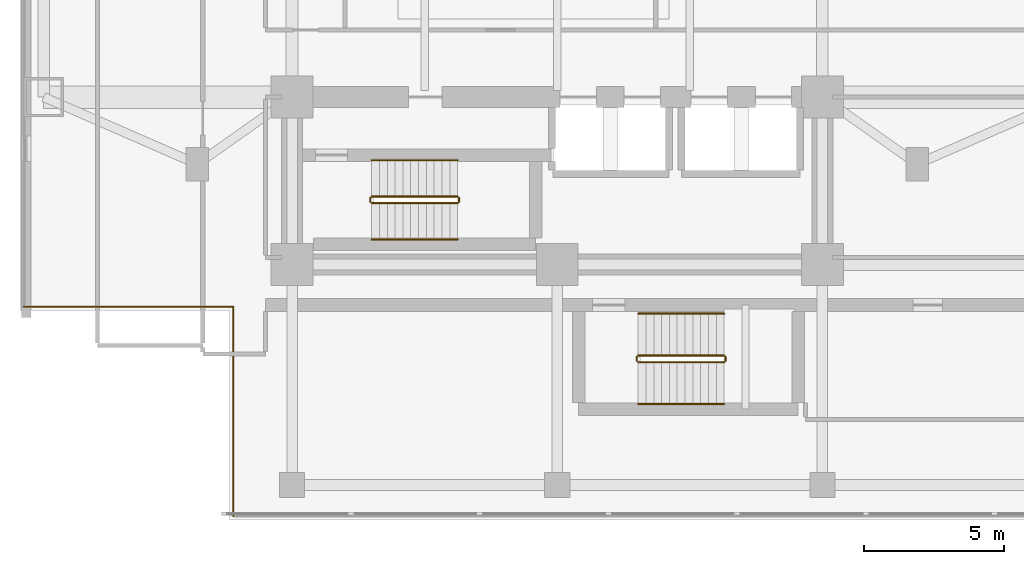
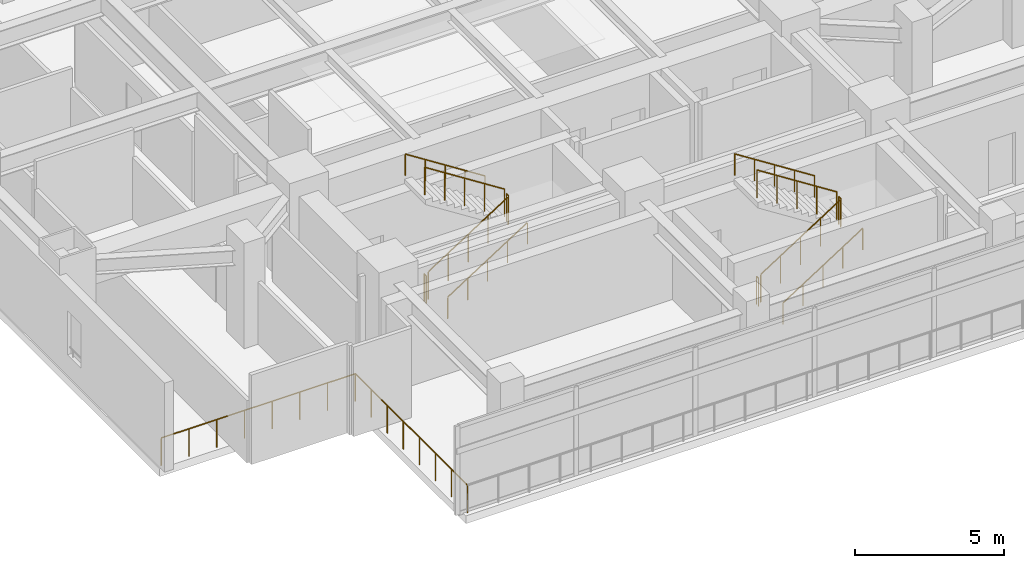
# One storey, part 20 of 26: 14 railings.
"""IFC4 building model written with IfcOpenShell, lengths in metres."""

from ifc_helpers import new_model, si_unit, direction, frame, origin, origin_2d, place, context, subcontext, project, spatial, circle, extrude, material, type_object, element, save


model = new_model("IFC4")

# Units and contexts
model_context = context("Model", 3, precision=1e-05, world=origin(), true_north=direction((0.0, 1.0)))
body_context = subcontext(model_context, "Body", "Model", "MODEL_VIEW")
ifc_project = project(units=[si_unit("LENGTHUNIT", "METRE"), si_unit("AREAUNIT", "SQUARE_METRE"), si_unit("VOLUMEUNIT", "CUBIC_METRE"), si_unit("PLANEANGLEUNIT", "RADIAN"), si_unit("MASSUNIT", "GRAM", prefix="KILO")], contexts=[model_context])

# Site, building, storey
site_placement = place(None, origin())
site = spatial("IfcSite", under=ifc_project, at=site_placement, CompositionType="ELEMENT")
building_placement = place(site_placement, origin())
building = spatial("IfcBuilding", under=site, at=building_placement, Name="Mirazonda Arch Towers", CompositionType="ELEMENT")
storey_placement = place(building_placement, frame((0.0, 0.0, 13.800048828125)))
storey = spatial("IfcBuildingStorey", under=building, at=storey_placement, Name="L03", CompositionType="ELEMENT", Elevation=13.800048828125)

# Railings
ifc_material = material(Name="Architectural Brushed Steel S355", Category="steel")
railing_type_1 = type_object("IfcRailingType", Name="GUARD-EXT-1150", PredefinedType="GUARDRAIL", material=ifc_material)
railing_1_placement = place(storey_placement, frame((1.389892578125, 10.889892578125, 0.0)))
element("IfcRailing", 1, at=railing_1_placement, inside=storey, type_object=railing_type_1, Name="L03 L03 Bridged Podium Perimeter Guard 11", PredefinedType="GUARDRAIL", context=body_context, shape_type="SweptSolid", body=[
    extrude(circle(Radius=0.02392578125, at=origin_2d()), frame((0.0, 0.0, 1.1259765625), z_axis=(1.0, 0.0, 0.0), x_axis=(0.0, 1.0, 0.0)), (0.0, 0.0, 1.0), 7.5),
    extrude(circle(Radius=0.02099609375, at=origin_2d()), origin(), (0.0, 0.0, 1.0), 1.101806640625),
    extrude(circle(Radius=0.02099609375, at=origin_2d()), frame((1.071533203125, 0.0, 0.0)), (0.0, 0.0, 1.0), 1.101806640625),
    extrude(circle(Radius=0.02099609375, at=origin_2d()), frame((2.142822265625, 0.0, 0.0)), (0.0, 0.0, 1.0), 1.101806640625),
    extrude(circle(Radius=0.02099609375, at=origin_2d()), frame((3.21435546875, 0.0, 0.0)), (0.0, 0.0, 1.0), 1.101806640625),
    extrude(circle(Radius=0.02099609375, at=origin_2d()), frame((4.28564453125, 0.0, 0.0)), (0.0, 0.0, 1.0), 1.101806640625),
    extrude(circle(Radius=0.02099609375, at=origin_2d()), frame((5.357177734375, 0.0, 0.0)), (0.0, 0.0, 1.0), 1.101806640625),
    extrude(circle(Radius=0.02099609375, at=origin_2d()), frame((6.428466796875, 0.0, 0.0)), (0.0, 0.0, 1.0), 1.101806640625),
    extrude(circle(Radius=0.02099609375, at=origin_2d()), frame((7.5, 0.0, 0.0)), (0.0, 0.0, 1.0), 1.101806640625),
])
railing_2_placement = place(storey_placement, frame((8.889892578125, 10.889892578125, 0.0)))
element("IfcRailing", 2, at=railing_2_placement, inside=storey, type_object=railing_type_1, Name="L03 L03 Bridged Podium Perimeter Guard 12", PredefinedType="GUARDRAIL", context=body_context, shape_type="SweptSolid", body=[
    extrude(circle(Radius=0.02392578125, at=origin_2d()), frame((0.0, 0.0, 1.1259765625), z_axis=(0.0, -1.0, 0.0), x_axis=(1.0, 0.0, 0.0)), (0.0, 0.0, 1.0), 7.5),
    extrude(circle(Radius=0.02099609375, at=origin_2d()), origin(), (0.0, 0.0, 1.0), 1.101806640625),
    extrude(circle(Radius=0.02099609375, at=origin_2d()), frame((0.0, -1.071533203125, 0.0)), (0.0, 0.0, 1.0), 1.101806640625),
    extrude(circle(Radius=0.02099609375, at=origin_2d()), frame((0.0, -2.142822265625, 0.0)), (0.0, 0.0, 1.0), 1.101806640625),
    extrude(circle(Radius=0.02099609375, at=origin_2d()), frame((0.0, -3.21435546875, 0.0)), (0.0, 0.0, 1.0), 1.101806640625),
    extrude(circle(Radius=0.02099609375, at=origin_2d()), frame((0.0, -4.28564453125, 0.0)), (0.0, 0.0, 1.0), 1.101806640625),
    extrude(circle(Radius=0.02099609375, at=origin_2d()), frame((0.0, -5.357177734375, 0.0)), (0.0, 0.0, 1.0), 1.101806640625),
    extrude(circle(Radius=0.02099609375, at=origin_2d()), frame((0.0, -6.428466796875, 0.0)), (0.0, 0.0, 1.0), 1.101806640625),
    extrude(circle(Radius=0.02099609375, at=origin_2d()), frame((0.0, -7.5, 0.0)), (0.0, 0.0, 1.0), 1.101806640625),
])
railing_type_2 = type_object("IfcRailingType", Name="GUARD-STAIR-1120", PredefinedType="GUARDRAIL", material=ifc_material)
railing_3_placement = place(storey_placement, frame((13.85009765625, 14.60009765625, 0.17919921875)))
element("IfcRailing", 3, at=railing_3_placement, inside=storey, type_object=railing_type_2, Name="L03 ST-T1S stair guard 1", PredefinedType="GUARDRAIL", context=body_context, shape_type="SweptSolid", body=[
    extrude(circle(Radius=0.02392578125, at=origin_2d()), frame((0.0, 0.0, 1.1259765625), z_axis=(0.842319903074, 0.0, 0.538977903893), x_axis=(0.0, 1.0, 0.0)), (0.0, 0.0, 1.0), 3.65625),
    extrude(circle(Radius=0.02099609375, at=origin_2d()), origin(), (0.0, 0.0, 1.0), 1.101806640625),
    extrude(circle(Radius=0.02099609375, at=origin_2d()), frame((0.77001953125, 0.0, 0.49267578125)), (0.0, 0.0, 1.0), 1.101806640625),
    extrude(circle(Radius=0.02099609375, at=origin_2d()), frame((1.5400390625, 0.0, 0.9853515625)), (0.0, 0.0, 1.0), 1.101806640625),
    extrude(circle(Radius=0.02099609375, at=origin_2d()), frame((2.309814453125, 0.0, 1.47802734375)), (0.0, 0.0, 1.0), 1.101806640625),
    extrude(circle(Radius=0.02099609375, at=origin_2d()), frame((3.079833984375, 0.0, 1.970703125)), (0.0, 0.0, 1.0), 1.101806640625),
])
railing_4_placement = place(storey_placement, frame((16.97998046875, 14.64990234375, 2.14990234375)))
element("IfcRailing", 4, at=railing_4_placement, inside=storey, type_object=railing_type_2, Name="L03 ST-T1S stair guard 2", PredefinedType="GUARDRAIL", context=body_context, shape_type="SweptSolid", body=[
    extrude(circle(Radius=0.02392578125, at=origin_2d()), frame((0.0, 0.0, 1.1259765625), z_axis=(0.0, 1.0, 0.0), x_axis=(-1.0, 0.0, 0.0)), (0.0, 0.0, 1.0), 0.14013671875),
    extrude(circle(Radius=0.02099609375, at=origin_2d()), origin(), (0.0, 0.0, 1.0), 1.101806640625),
    extrude(circle(Radius=0.02099609375, at=origin_2d()), frame((0.0, 0.14013671875, 0.0)), (0.0, 0.0, 1.0), 1.101806640625),
])
railing_5_placement = place(storey_placement, frame((16.929931640625, 14.840087890625, 2.3291015625)))
element("IfcRailing", 5, at=railing_5_placement, inside=storey, type_object=railing_type_2, Name="L03 ST-T1S stair guard 3", PredefinedType="GUARDRAIL", context=body_context, shape_type="SweptSolid", body=[
    extrude(circle(Radius=0.02392578125, at=origin_2d()), frame((0.0, 0.0, 1.1259765625), z_axis=(-0.842289589211, 0.0, 0.539025275759), x_axis=(0.0, -1.0, 0.0)), (0.0, 0.0, 1.0), 3.656494140625),
    extrude(circle(Radius=0.02099609375, at=origin_2d()), origin(), (0.0, 0.0, 1.0), 1.101806640625),
    extrude(circle(Radius=0.02099609375, at=origin_2d()), frame((-0.77001953125, 0.0, 0.49267578125)), (0.0, 0.0, 1.0), 1.101806640625),
    extrude(circle(Radius=0.02099609375, at=origin_2d()), frame((-1.5400390625, 0.0, 0.9853515625)), (0.0, 0.0, 1.0), 1.101806640625),
    extrude(circle(Radius=0.02099609375, at=origin_2d()), frame((-2.309814453125, 0.0, 1.478271484375)), (0.0, 0.0, 1.0), 1.101806640625),
    extrude(circle(Radius=0.02099609375, at=origin_2d()), frame((-3.079833984375, 0.0, 1.970947265625)), (0.0, 0.0, 1.0), 1.101806640625),
])
railing_6_placement = place(storey_placement, frame((13.800048828125, 14.64990234375, 0.0)))
element("IfcRailing", 6, at=railing_6_placement, inside=storey, type_object=railing_type_2, Name="L03 ST-T1S stair guard 4", PredefinedType="GUARDRAIL", context=body_context, shape_type="SweptSolid", body=[
    extrude(circle(Radius=0.02392578125, at=origin_2d()), frame((0.0, 0.0, 1.1259765625), z_axis=(0.0, 1.0, 0.0), x_axis=(-1.0, 0.0, 0.0)), (0.0, 0.0, 1.0), 0.14013671875),
    extrude(circle(Radius=0.02099609375, at=origin_2d()), origin(), (0.0, 0.0, 1.0), 1.101806640625),
    extrude(circle(Radius=0.02099609375, at=origin_2d()), frame((0.0, 0.14013671875, 0.0)), (0.0, 0.0, 1.0), 1.101806640625),
])
railing_7_placement = place(storey_placement, frame((23.39990234375, 8.89990234375, 0.17919921875)))
element("IfcRailing", 7, at=railing_7_placement, inside=storey, type_object=railing_type_2, Name="L03 ST-POD1 stair guard 1", PredefinedType="GUARDRAIL", context=body_context, shape_type="SweptSolid", body=[
    extrude(circle(Radius=0.02392578125, at=origin_2d()), frame((0.0, 0.0, 1.1259765625), z_axis=(0.842339298311, 0.0, 0.538947591627), x_axis=(0.0, 1.0, 0.0)), (0.0, 0.0, 1.0), 3.656494140625),
    extrude(circle(Radius=0.02099609375, at=origin_2d()), origin(), (0.0, 0.0, 1.0), 1.101806640625),
    extrude(circle(Radius=0.02099609375, at=origin_2d()), frame((0.77001953125, 0.0, 0.49267578125)), (0.0, 0.0, 1.0), 1.101806640625),
    extrude(circle(Radius=0.02099609375, at=origin_2d()), frame((1.5400390625, 0.0, 0.9853515625)), (0.0, 0.0, 1.0), 1.101806640625),
    extrude(circle(Radius=0.02099609375, at=origin_2d()), frame((2.31005859375, 0.0, 1.47802734375)), (0.0, 0.0, 1.0), 1.101806640625),
    extrude(circle(Radius=0.02099609375, at=origin_2d()), frame((3.080078125, 0.0, 1.970703125)), (0.0, 0.0, 1.0), 1.101806640625),
])
railing_8_placement = place(storey_placement, frame((26.530029296875, 8.949951171875, 2.14990234375)))
element("IfcRailing", 8, at=railing_8_placement, inside=storey, type_object=railing_type_2, Name="L03 ST-POD1 stair guard 2", PredefinedType="GUARDRAIL", context=body_context, shape_type="SweptSolid", body=[
    extrude(circle(Radius=0.02392578125, at=origin_2d()), frame((0.0, 0.0, 1.1259765625), z_axis=(0.0, 1.0, 0.0), x_axis=(-1.0, 0.0, 0.0)), (0.0, 0.0, 1.0), 0.14013671875),
    extrude(circle(Radius=0.02099609375, at=origin_2d()), origin(), (0.0, 0.0, 1.0), 1.101806640625),
    extrude(circle(Radius=0.02099609375, at=origin_2d()), frame((0.0, 0.14013671875, 0.0)), (0.0, 0.0, 1.0), 1.101806640625),
])
railing_9_placement = place(storey_placement, frame((26.47998046875, 9.139892578125, 2.3291015625)))
element("IfcRailing", 9, at=railing_9_placement, inside=storey, type_object=railing_type_2, Name="L03 ST-POD1 stair guard 3", PredefinedType="GUARDRAIL", context=body_context, shape_type="SweptSolid", body=[
    extrude(circle(Radius=0.02392578125, at=origin_2d()), frame((0.0, 0.0, 1.1259765625), z_axis=(-0.842308987159, 0.0, 0.53899496301), x_axis=(0.0, -1.0, 0.0)), (0.0, 0.0, 1.0), 3.65673828125),
    extrude(circle(Radius=0.02099609375, at=origin_2d()), origin(), (0.0, 0.0, 1.0), 1.101806640625),
    extrude(circle(Radius=0.02099609375, at=origin_2d()), frame((-0.77001953125, 0.0, 0.49267578125)), (0.0, 0.0, 1.0), 1.101806640625),
    extrude(circle(Radius=0.02099609375, at=origin_2d()), frame((-1.5400390625, 0.0, 0.9853515625)), (0.0, 0.0, 1.0), 1.101806640625),
    extrude(circle(Radius=0.02099609375, at=origin_2d()), frame((-2.31005859375, 0.0, 1.478271484375)), (0.0, 0.0, 1.0), 1.101806640625),
    extrude(circle(Radius=0.02099609375, at=origin_2d()), frame((-3.080078125, 0.0, 1.970947265625)), (0.0, 0.0, 1.0), 1.101806640625),
])
railing_10_placement = place(storey_placement, frame((23.35009765625, 8.949951171875, 0.0)))
element("IfcRailing", 10, at=railing_10_placement, inside=storey, type_object=railing_type_2, Name="L03 ST-POD1 stair guard 4", PredefinedType="GUARDRAIL", context=body_context, shape_type="SweptSolid", body=[
    extrude(circle(Radius=0.02392578125, at=origin_2d()), frame((0.0, 0.0, 1.1259765625), z_axis=(0.0, 1.0, 0.0), x_axis=(-1.0, 0.0, 0.0)), (0.0, 0.0, 1.0), 0.14013671875),
    extrude(circle(Radius=0.02099609375, at=origin_2d()), origin(), (0.0, 0.0, 1.0), 1.101806640625),
    extrude(circle(Radius=0.02099609375, at=origin_2d()), frame((0.0, 0.14013671875, 0.0)), (0.0, 0.0, 1.0), 1.101806640625),
])
railing_type_3 = type_object("IfcRailingType", Name="HANDRAIL-915", PredefinedType="HANDRAIL", material=ifc_material)
railing_11_placement = place(storey_placement, frame((13.85009765625, 13.300048828125, 0.17919921875)))
element("IfcRailing", 11, at=railing_11_placement, inside=storey, type_object=railing_type_3, Name="L03 ST-T1S stair handrail 1", PredefinedType="HANDRAIL", context=body_context, shape_type="SweptSolid", body=[
    extrude(circle(Radius=0.02392578125, at=origin_2d()), frame((0.0, 0.0, 0.8759765625), z_axis=(0.842319903074, 0.0, 0.538977903893), x_axis=(0.0, 1.0, 0.0)), (0.0, 0.0, 1.0), 3.65625),
    extrude(circle(Radius=0.02099609375, at=origin_2d()), origin(), (0.0, 0.0, 1.0), 0.851806640625),
    extrude(circle(Radius=0.02099609375, at=origin_2d()), frame((0.77001953125, 0.0, 0.49267578125)), (0.0, 0.0, 1.0), 0.851806640625),
    extrude(circle(Radius=0.02099609375, at=origin_2d()), frame((1.5400390625, 0.0, 0.9853515625)), (0.0, 0.0, 1.0), 0.851806640625),
    extrude(circle(Radius=0.02099609375, at=origin_2d()), frame((2.309814453125, 0.0, 1.47802734375)), (0.0, 0.0, 1.0), 0.851806640625),
    extrude(circle(Radius=0.02099609375, at=origin_2d()), frame((3.079833984375, 0.0, 1.970703125)), (0.0, 0.0, 1.0), 0.851806640625),
])
railing_12_placement = place(storey_placement, frame((16.929931640625, 16.139892578125, 2.3291015625)))
element("IfcRailing", 12, at=railing_12_placement, inside=storey, type_object=railing_type_3, Name="L03 ST-T1S stair handrail 2", PredefinedType="HANDRAIL", context=body_context, shape_type="SweptSolid", body=[
    extrude(circle(Radius=0.02392578125, at=origin_2d()), frame((0.0, 0.0, 0.8759765625), z_axis=(-0.842289589211, 0.0, 0.539025275759), x_axis=(0.0, -1.0, 0.0)), (0.0, 0.0, 1.0), 3.656494140625),
    extrude(circle(Radius=0.02099609375, at=origin_2d()), origin(), (0.0, 0.0, 1.0), 0.851806640625),
    extrude(circle(Radius=0.02099609375, at=origin_2d()), frame((-0.77001953125, 0.0, 0.49267578125)), (0.0, 0.0, 1.0), 0.851806640625),
    extrude(circle(Radius=0.02099609375, at=origin_2d()), frame((-1.5400390625, 0.0, 0.9853515625)), (0.0, 0.0, 1.0), 0.851806640625),
    extrude(circle(Radius=0.02099609375, at=origin_2d()), frame((-2.309814453125, 0.0, 1.478271484375)), (0.0, 0.0, 1.0), 0.851806640625),
    extrude(circle(Radius=0.02099609375, at=origin_2d()), frame((-3.079833984375, 0.0, 1.970947265625)), (0.0, 0.0, 1.0), 0.851806640625),
])
railing_13_placement = place(storey_placement, frame((23.39990234375, 7.39990234375, 0.17919921875)))
element("IfcRailing", 13, at=railing_13_placement, inside=storey, type_object=railing_type_3, Name="L03 ST-POD1 stair handrail 1", PredefinedType="HANDRAIL", context=body_context, shape_type="SweptSolid", body=[
    extrude(circle(Radius=0.02392578125, at=origin_2d()), frame((0.0, 0.0, 0.8759765625), z_axis=(0.842339298311, 0.0, 0.538947591627), x_axis=(0.0, 1.0, 0.0)), (0.0, 0.0, 1.0), 3.656494140625),
    extrude(circle(Radius=0.02099609375, at=origin_2d()), origin(), (0.0, 0.0, 1.0), 0.851806640625),
    extrude(circle(Radius=0.02099609375, at=origin_2d()), frame((0.77001953125, 0.0, 0.49267578125)), (0.0, 0.0, 1.0), 0.851806640625),
    extrude(circle(Radius=0.02099609375, at=origin_2d()), frame((1.5400390625, 0.0, 0.9853515625)), (0.0, 0.0, 1.0), 0.851806640625),
    extrude(circle(Radius=0.02099609375, at=origin_2d()), frame((2.31005859375, 0.0, 1.47802734375)), (0.0, 0.0, 1.0), 0.851806640625),
    extrude(circle(Radius=0.02099609375, at=origin_2d()), frame((3.080078125, 0.0, 1.970703125)), (0.0, 0.0, 1.0), 0.851806640625),
])
railing_14_placement = place(storey_placement, frame((26.47998046875, 10.639892578125, 2.3291015625)))
element("IfcRailing", 14, at=railing_14_placement, inside=storey, type_object=railing_type_3, Name="L03 ST-POD1 stair handrail 2", PredefinedType="HANDRAIL", context=body_context, shape_type="SweptSolid", body=[
    extrude(circle(Radius=0.02392578125, at=origin_2d()), frame((0.0, 0.0, 0.8759765625), z_axis=(-0.842308987159, 0.0, 0.53899496301), x_axis=(0.0, -1.0, 0.0)), (0.0, 0.0, 1.0), 3.65673828125),
    extrude(circle(Radius=0.02099609375, at=origin_2d()), origin(), (0.0, 0.0, 1.0), 0.851806640625),
    extrude(circle(Radius=0.02099609375, at=origin_2d()), frame((-0.77001953125, 0.0, 0.49267578125)), (0.0, 0.0, 1.0), 0.851806640625),
    extrude(circle(Radius=0.02099609375, at=origin_2d()), frame((-1.5400390625, 0.0, 0.9853515625)), (0.0, 0.0, 1.0), 0.851806640625),
    extrude(circle(Radius=0.02099609375, at=origin_2d()), frame((-2.31005859375, 0.0, 1.478271484375)), (0.0, 0.0, 1.0), 0.851806640625),
    extrude(circle(Radius=0.02099609375, at=origin_2d()), frame((-3.080078125, 0.0, 1.970947265625)), (0.0, 0.0, 1.0), 0.851806640625),
])

save(model, "model.ifc")
